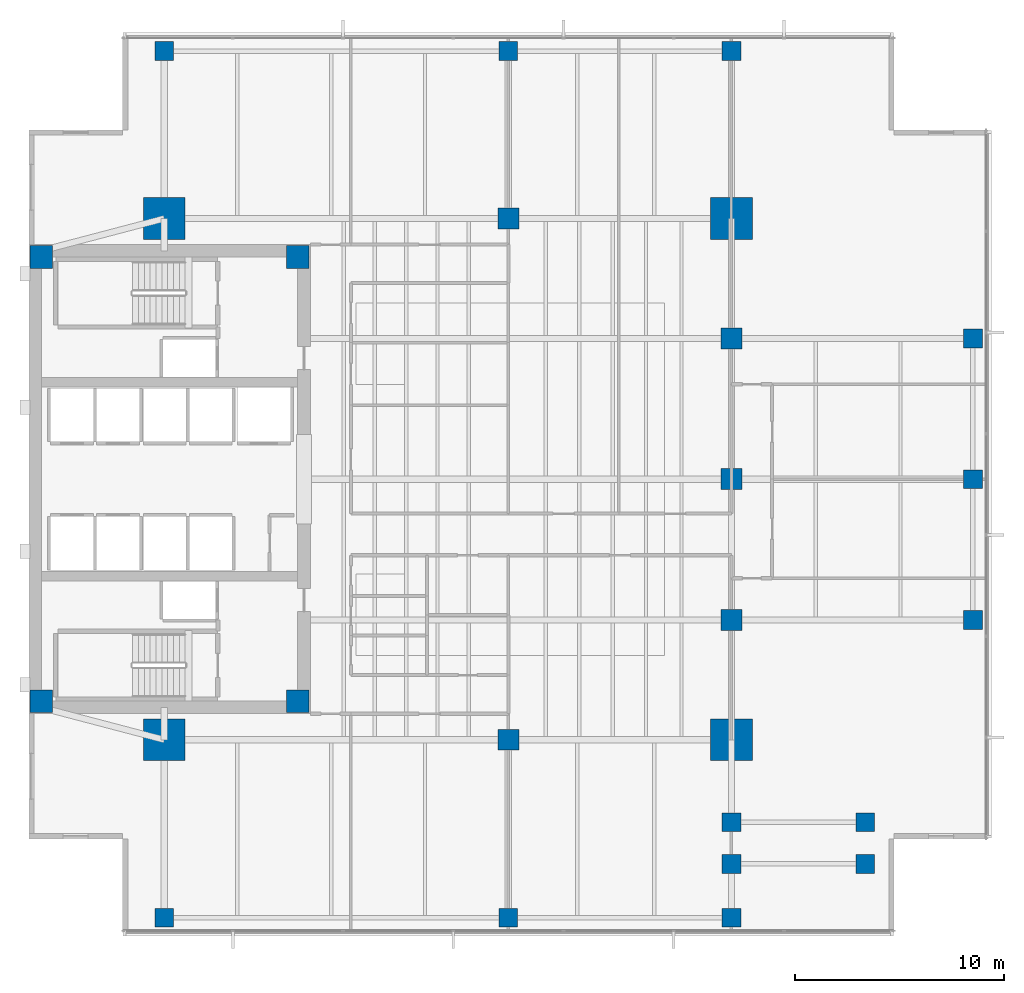
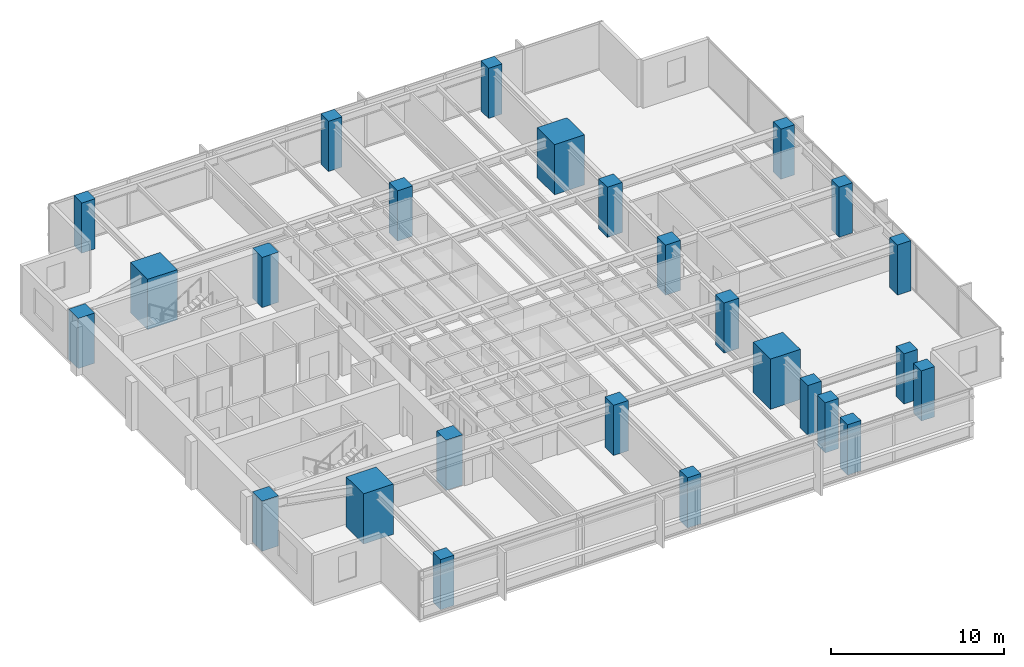
# One storey, part 1 of 14: 26 columns.
"""IFC4 building model written with IfcOpenShell, lengths in metres."""

from ifc_helpers import new_model, si_unit, direction, frame, origin, origin_2d, place, context, subcontext, project, spatial, rectangle, extrude, material, material_profile, profile_set, type_object, element, save


model = new_model("IFC4")

# Units and contexts
model_context = context("Model", 3, precision=1e-05, world=origin(), true_north=direction((0.0, 1.0)))
body_context = subcontext(model_context, "Body", "Model", "MODEL_VIEW")
ifc_project = project(units=[si_unit("LENGTHUNIT", "METRE"), si_unit("AREAUNIT", "SQUARE_METRE"), si_unit("VOLUMEUNIT", "CUBIC_METRE"), si_unit("PLANEANGLEUNIT", "RADIAN"), si_unit("MASSUNIT", "GRAM", prefix="KILO")], contexts=[model_context])

# Site, building, storey
site_placement = place(None, origin())
site = spatial("IfcSite", under=ifc_project, at=site_placement, CompositionType="ELEMENT")
building_placement = place(site_placement, origin())
building = spatial("IfcBuilding", under=site, at=building_placement, Name="Kinhvarn Gate Tower", CompositionType="ELEMENT")
storey_placement = place(building_placement, frame((0.0, 0.0, 166.14990234375)))
storey = spatial("IfcBuildingStorey", under=building, at=storey_placement, Name="L44", CompositionType="ELEMENT", Elevation=166.14990234375)

# Columns
ifc_material = material(Name="Concrete C60/75", Category="concrete")
ifc_material_profile_1 = material_profile(ifc_material, rectangle(XDim=2.0, YDim=2.0, at=origin_2d()), Name="RC 2000x2000")
ifc_profile_set_1 = profile_set([ifc_material_profile_1], Name="Concrete C60/75")
column_type_1 = type_object("IfcColumnType", Name="COL-MC-2000", PredefinedType="COLUMN", material=ifc_profile_set_1)
for number, where, z_axis, x_axis, name in (
    (1, (11.0, 12.75, 0.0), (0.0, 0.0, 1.0), (1.0, 0.0, 0.0), "Column MC1-L44 (MC-20)"),
    (2, (11.0, 37.75, 0.0), (0.0, 0.0, 1.0), (1.0, 0.0, 0.0), "Column MC4-L44 (MC-20)"),
    (3, (38.199951171875, 12.75, 0.0), (0.0, 0.0, 1.0), (1.0, 0.0, 0.0), "Column MC2-L44 (MC-20)"),
    (4, (38.199951171875, 37.75, 0.0), (0.0, 0.0, 1.0), (1.0, 0.0, 0.0), "Column MC3-L44 (MC-20)"),
):
    element("IfcColumn", number, at=place(storey_placement, frame(where, z_axis=z_axis, x_axis=x_axis)), inside=storey, type_object=column_type_1, Name=name, PredefinedType="COLUMN", context=body_context, shape_type="SweptSolid", body=[
        extrude(rectangle(XDim=2.0, YDim=2.0, at=origin_2d()), origin(), (0.0, 0.0, 1.0), 3.550048828125),
    ])
ifc_material_profile_2 = material_profile(ifc_material, rectangle(XDim=1.0, YDim=1.0, at=origin_2d()), Name="RC 1000x1000")
ifc_profile_set_2 = profile_set([ifc_material_profile_2], Name="Concrete C60/75")
column_type_2 = type_object("IfcColumnType", Name="COL-RC-1000", PredefinedType="COLUMN", material=ifc_profile_set_2)
for number, where, z_axis, x_axis, name in (
    (5, (27.5, 12.75, 0.0), (0.0, 0.0, 1.0), (1.0, 0.0, 0.0), "Column SP27-S-L44 (C-100)"),
    (6, (27.5, 37.75, 0.0), (0.0, 0.0, 1.0), (1.0, 0.0, 0.0), "Column SP27-N-L44 (C-100)"),
    (7, (38.199951171875, 18.5, 0.0), (0.0, 0.0, 1.0), (1.0, 0.0, 0.0), "Column SP38-E1-L44 (C-100)"),
    (8, (38.199951171875, 25.25, 0.0), (0.0, 0.0, 1.0), (1.0, 0.0, 0.0), "Column SP38-E2-L44 (C-100)"),
    (9, (38.199951171875, 32.0, 0.0), (0.0, 0.0, 1.0), (1.0, 0.0, 0.0), "Column SP38-E3-L44 (C-100)"),
):
    element("IfcColumn", number, at=place(storey_placement, frame(where, z_axis=z_axis, x_axis=x_axis)), inside=storey, type_object=column_type_2, Name=name, PredefinedType="COLUMN", context=body_context, shape_type="SweptSolid", body=[
        extrude(rectangle(XDim=1.0, YDim=1.0, at=origin_2d()), origin(), (0.0, 0.0, 1.0), 3.550048828125),
    ])
ifc_material_profile_3 = material_profile(ifc_material, rectangle(XDim=0.89990234375, YDim=0.89990234375, at=origin_2d()), Name="RC 900x900")
ifc_profile_set_3 = profile_set([ifc_material_profile_3], Name="Concrete C60/75")
column_type_3 = type_object("IfcColumnType", Name="COL-RC-900", PredefinedType="COLUMN", material=ifc_profile_set_3)
for number, where, z_axis, x_axis, name in (
    (10, (38.199951171875, 6.800048828125, 0.0), (0.0, 0.0, 1.0), (1.0, 0.0, 0.0), "Column CS-ANC68-L44 (C-090)"),
    (11, (38.199951171875, 8.800048828125, 0.0), (0.0, 0.0, 1.0), (1.0, 0.0, 0.0), "Column CS-ANC88-L44 (C-090)"),
    (12, (44.6201171875, 6.800048828125, 0.0), (0.0, 0.0, 1.0), (1.0, 0.0, 0.0), "Column CS-SE2-L44 (C-090)"),
    (13, (44.6201171875, 8.800048828125, 0.0), (0.0, 0.0, 1.0), (1.0, 0.0, 0.0), "Column CS-SE2B-L44 (C-090)"),
    (14, (49.780029296875, 18.5, 0.0), (0.0, 0.0, 1.0), (1.0, 0.0, 0.0), "Column CE-1-L44 (C-090)"),
    (15, (49.780029296875, 25.25, 0.0), (0.0, 0.0, 1.0), (1.0, 0.0, 0.0), "Column CE-2-L44 (C-090)"),
    (16, (49.780029296875, 32.0, 0.0), (0.0, 0.0, 1.0), (1.0, 0.0, 0.0), "Column CE-3-L44 (C-090)"),
    (17, (11.0, 4.219970703125, 0.0), (0.0, 0.0, 1.0), (1.0, 0.0, 0.0), "Column CS-0-L44 (C-090)"),
    (18, (27.5, 4.219970703125, 0.0), (0.0, 0.0, 1.0), (1.0, 0.0, 0.0), "Column CS-1-L44 (C-090)"),
    (19, (38.199951171875, 4.219970703125, 0.0), (0.0, 0.0, 1.0), (1.0, 0.0, 0.0), "Column CS-2-L44 (C-090)"),
    (20, (11.0, 45.780029296875, 0.0), (0.0, 0.0, 1.0), (1.0, 0.0, 0.0), "Column CN-0-L44 (C-090)"),
    (21, (27.5, 45.780029296875, 0.0), (0.0, 0.0, 1.0), (1.0, 0.0, 0.0), "Column CN-1-L44 (C-090)"),
    (22, (38.199951171875, 45.780029296875, 0.0), (0.0, 0.0, 1.0), (1.0, 0.0, 0.0), "Column CN-2-L44 (C-090)"),
):
    element("IfcColumn", number, at=place(storey_placement, frame(where, z_axis=z_axis, x_axis=x_axis)), inside=storey, type_object=column_type_3, Name=name, PredefinedType="COLUMN", context=body_context, shape_type="SweptSolid", body=[
        extrude(rectangle(XDim=0.89990234375, YDim=0.89990234375, at=origin_2d()), origin(), (0.0, 0.0, 1.0), 3.550048828125),
    ])
ifc_material_profile_4 = material_profile(ifc_material, rectangle(XDim=1.10009765625, YDim=1.10009765625, at=origin_2d()), Name="RC 1100x1100")
ifc_profile_set_4 = profile_set([ifc_material_profile_4], Name="Concrete C60/75")
column_type_4 = type_object("IfcColumnType", Name="PIL-RC-1100", PredefinedType="PILASTER", material=ifc_profile_set_4)
for number, where, z_axis, x_axis, name in (
    (23, (5.10009765625, 14.60009765625, 0.0), (0.0, 0.0, 1.0), (1.0, 0.0, 0.0), "Column CC-SW-L44 (CP-110)"),
    (24, (5.10009765625, 35.89990234375, 0.0), (0.0, 0.0, 1.0), (1.0, 0.0, 0.0), "Column CC-NW-L44 (CP-110)"),
    (25, (17.39990234375, 14.60009765625, 0.0), (0.0, 0.0, 1.0), (1.0, 0.0, 0.0), "Column CC-SE-L44 (CP-110)"),
    (26, (17.39990234375, 35.89990234375, 0.0), (0.0, 0.0, 1.0), (1.0, 0.0, 0.0), "Column CC-NE-L44 (CP-110)"),
):
    element("IfcColumn", number, at=place(storey_placement, frame(where, z_axis=z_axis, x_axis=x_axis)), inside=storey, type_object=column_type_4, Name=name, PredefinedType="PILASTER", context=body_context, shape_type="SweptSolid", body=[
        extrude(rectangle(XDim=1.10009765625, YDim=1.10009765625, at=origin_2d()), origin(), (0.0, 0.0, 1.0), 3.550048828125),
    ])

save(model, "model.ifc")
